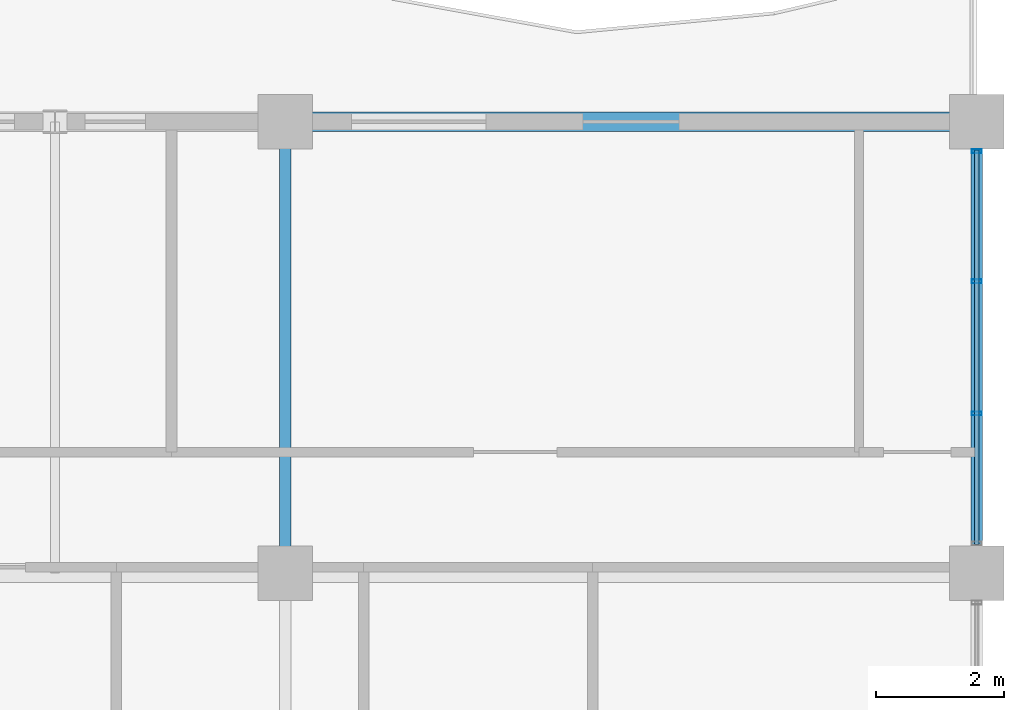
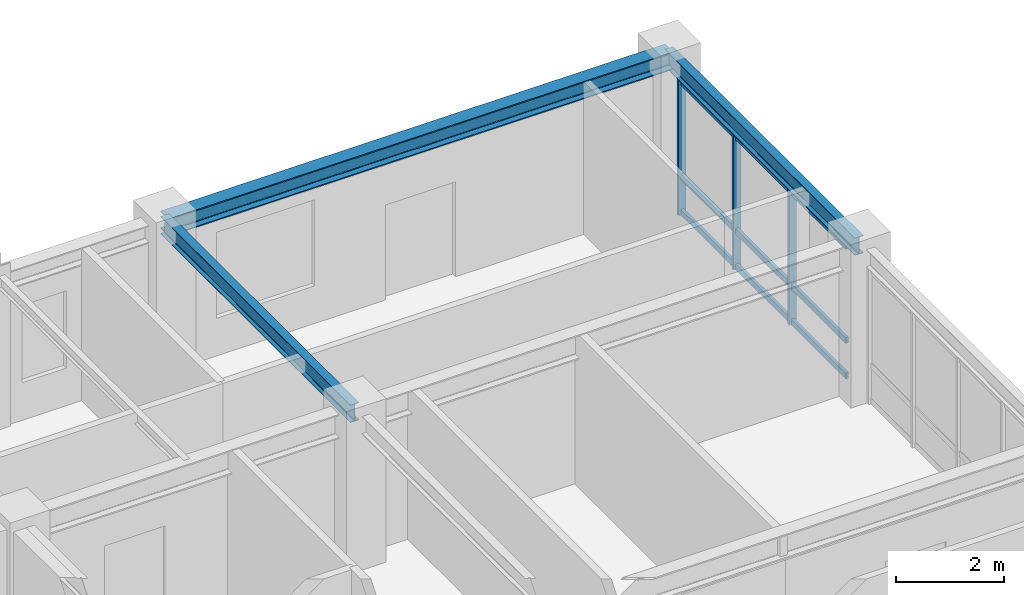
# One storey, part 4 of 11: 6 members, 3 beams, 1 element without a shape of its own.
"""IFC4 building model written with IfcOpenShell, lengths in metres."""

from ifc_helpers import new_model, si_unit, direction, frame, origin, origin_2d, place, context, subcontext, project, spatial, hollow_rectangle, i_section, extrude, source, transform, mapped, material, layer, layer_set, material_profile, profile_set, type_object, element, aggregate, save


model = new_model("IFC4")

# Units and contexts
model_context = context("Model", 3, precision=1e-05, world=origin(), true_north=direction((0.0, 1.0)))
body_context = subcontext(model_context, "Body", "Model", "MODEL_VIEW")
ifc_project = project(units=[si_unit("LENGTHUNIT", "METRE"), si_unit("AREAUNIT", "SQUARE_METRE"), si_unit("VOLUMEUNIT", "CUBIC_METRE"), si_unit("PLANEANGLEUNIT", "RADIAN"), si_unit("MASSUNIT", "GRAM", prefix="KILO")], contexts=[model_context])

# Site, building, storey
site_placement = place(None, origin())
site = spatial("IfcSite", under=ifc_project, at=site_placement, CompositionType="ELEMENT")
building_placement = place(site_placement, origin())
building = spatial("IfcBuilding", under=site, at=building_placement, Name="Kaliganga Portal Commons", CompositionType="ELEMENT")
storey_placement = place(building_placement, frame((0.0, 0.0, 264.699951171875)))
storey = spatial("IfcBuildingStorey", under=building, at=storey_placement, Name="L68", CompositionType="ELEMENT", Elevation=264.699951171875)

# Beams
ifc_material_1 = material(Name="Structural steel S355J2", Category="steel")
ifc_material_profile_1 = material_profile(ifc_material_1, i_section(OverallWidth=0.300048828125, OverallDepth=0.39990234375, WebThickness=0.013427734375, FlangeThickness=0.02392578125, FilletRadius=0.027099609375, at=origin_2d()), Name="HE 400 B")
ifc_profile_set_1 = profile_set([ifc_material_profile_1], Name="Structural steel S355J2 wide-flange")
beam_type_1 = type_object("IfcBeamType", Name="BM-SPAND-400", PredefinedType="SPANDREL", material=ifc_profile_set_1)
shared_shape_1 = source(origin(), body_context, "Body", "SweptSolid", [
    extrude(i_section(OverallWidth=0.300048828125, OverallDepth=0.39990234375, WebThickness=0.013427734375, FlangeThickness=0.02392578125, FilletRadius=0.027099609375, at=origin_2d()), origin(), (0.0, 0.0, 1.0), 10.800048828125),
])
beam_placement = place(storey_placement, frame((36.0, 43.199951171875, 3.275146484375), z_axis=(1.0, 0.0, 0.0), x_axis=(0.0, 1.0, 0.0)))
element("IfcBeam", 1, at=beam_placement, inside=storey, type_object=beam_type_1, Name="BM SP L68 AN 7", PredefinedType="SPANDREL", context=body_context, shape_type="MappedRepresentation", body=[
    mapped(shared_shape_1, transform((0.0, 0.0, 0.0), x_axis=(1.0, 0.0, 0.0), y_axis=(0.0, 1.0, 0.0), z_axis=(0.0, 0.0, 1.0), scale=1.0)),
])
ifc_material_profile_2 = material_profile(ifc_material_1, i_section(OverallWidth=0.179931640625, OverallDepth=0.39990234375, WebThickness=0.008544921875, FlangeThickness=0.013427734375, FilletRadius=0.02099609375, at=origin_2d()), Name="IPE 400")
ifc_profile_set_2 = profile_set([ifc_material_profile_2], Name="Structural steel S355J2 wide-flange")
beam_type_2 = type_object("IfcBeamType", Name="BM-FLR-400", PredefinedType="BEAM", material=ifc_profile_set_2)
shared_shape_2 = source(origin(), body_context, "Body", "SweptSolid", [
    extrude(i_section(OverallWidth=0.179931640625, OverallDepth=0.39990234375, WebThickness=0.008544921875, FlangeThickness=0.013427734375, FilletRadius=0.02099609375, at=origin_2d()), origin(), (0.0, 0.0, 1.0), 7.050048828125),
])
for number, where, z_axis, x_axis, name in (
    (2, (36.0, 36.14990234375, 3.275146484375), (0.0, 1.0, 0.0), (-1.0, 0.0, 0.0), "BM G L68 AN360"),
    (3, (46.800048828125, 36.14990234375, 3.275146484375), (0.0, 1.0, 0.0), (-1.0, 0.0, 0.0), "BM G L68 AN468"),
):
    element("IfcBeam", number, at=place(storey_placement, frame(where, z_axis=z_axis, x_axis=x_axis)), inside=storey, type_object=beam_type_2, Name=name, PredefinedType="BEAM", context=body_context, shape_type="MappedRepresentation", body=[
        mapped(shared_shape_2, transform((0.0, 0.0, 0.0), x_axis=(1.0, 0.0, 0.0), y_axis=(0.0, 1.0, 0.0), z_axis=(0.0, 0.0, 1.0), scale=1.0)),
    ])

# Curtain wall, members
ifc_material_2 = material(Name="Anodized Aluminium and Laminated Low-E Glass", Category="aluminium")
ifc_layer = layer(ifc_material_2, 0.18994140625)
ifc_layer_set = layer_set([ifc_layer], Name="Anodized Aluminium and Laminated Low-E Glass")
curtain_wall_type = type_object("IfcCurtainWallType", Name="CW-SYS-05", PredefinedType="NOTDEFINED", material=ifc_layer_set)
curtain_wall_placement = place(storey_placement, origin())
curtain_wall = element("IfcCurtainWall", 4, at=curtain_wall_placement, inside=storey, type_object=curtain_wall_type, Name="CW 05 L68 P1E01S3", PredefinedType="NOTDEFINED")
ifc_material_3 = material(Name="Dark Bronze Anodized Aluminium", Category="aluminium")
ifc_material_profile_3 = material_profile(ifc_material_3, hollow_rectangle(XDim=0.06005859375, YDim=0.159912109375, WallThickness=0.00341796875, at=origin_2d()), Name="ALU MULL 60x160x3.5")
ifc_profile_set_3 = profile_set([ifc_material_profile_3], Name="Dark Bronze Anodized Aluminium")
member_type_1 = type_object("IfcMemberType", Name="CW-MUL-160", PredefinedType="MULLION", material=ifc_profile_set_3)
shared_shape_3 = source(origin(), body_context, "Body", "SweptSolid", [
    extrude(hollow_rectangle(XDim=0.06005859375, YDim=0.159912109375, WallThickness=0.00341796875, at=origin_2d()), origin(), (0.0, 0.0, 1.0), 3.074951171875),
])
member_1_placement = place(storey_placement, frame((46.800048828125, 38.64208984375, 0.0), z_axis=(0.0, 0.0, 1.0), x_axis=(0.0, 1.0, 0.0)))
member_1 = element("IfcMember", 5, at=member_1_placement, type_object=member_type_1, Name="CW:05:L68:P1E01S3 Mullion 01", PredefinedType="MULLION", context=body_context, shape_type="MappedRepresentation", body=[
    mapped(shared_shape_3, transform((0.0, 0.0, 0.0), x_axis=(1.0, 0.0, 0.0), y_axis=(0.0, 1.0, 0.0), z_axis=(0.0, 0.0, 1.0), scale=1.0)),
])
member_2_placement = place(storey_placement, frame((46.800048828125, 40.7080078125, 0.0), z_axis=(0.0, 0.0, 1.0), x_axis=(0.0, 1.0, 0.0)))
member_2 = element("IfcMember", 6, at=member_2_placement, type_object=member_type_1, Name="CW:05:L68:P1E01S3 Mullion 02", PredefinedType="MULLION", context=body_context, shape_type="MappedRepresentation", body=[
    mapped(shared_shape_3, transform((0.0, 0.0, 0.0), x_axis=(1.0, 0.0, 0.0), y_axis=(0.0, 1.0, 0.0), z_axis=(0.0, 0.0, 1.0), scale=1.0)),
])
member_3_placement = place(storey_placement, frame((46.800048828125, 42.739013671875, 0.0), z_axis=(0.0, 0.0, 1.0), x_axis=(0.0, 1.0, 0.0)))
member_3 = element("IfcMember", 7, at=member_3_placement, type_object=member_type_1, Name="CW:05:L68:P1E01S3 Mullion 03", PredefinedType="MULLION", context=body_context, shape_type="MappedRepresentation", body=[
    mapped(shared_shape_3, transform((0.0, 0.0, 0.0), x_axis=(1.0, 0.0, 0.0), y_axis=(0.0, 1.0, 0.0), z_axis=(0.0, 0.0, 1.0), scale=1.0)),
])
ifc_material_profile_4 = material_profile(ifc_material_3, hollow_rectangle(XDim=0.06494140625, YDim=0.135009765625, WallThickness=0.00341796875, at=origin_2d()), Name="ALU TRAN 65x135x3.5")
ifc_profile_set_4 = profile_set([ifc_material_profile_4], Name="Dark Bronze Anodized Aluminium")
member_type_2 = type_object("IfcMemberType", Name="CW-TRN-135", PredefinedType="USERDEFINED", material=ifc_profile_set_4)
shared_shape_4 = source(origin(), body_context, "Body", "SweptSolid", [
    extrude(hollow_rectangle(XDim=0.06494140625, YDim=0.135009765625, WallThickness=0.00341796875, at=origin_2d()), origin(), (0.0, 0.0, 1.0), 6.157958984375),
])
member_4_placement = place(storey_placement, frame((46.800048828125, 36.595947265625, 0.06005859375), z_axis=(0.0, 1.0, 0.0), x_axis=(-1.0, 0.0, 0.0)))
member_4 = element("IfcMember", 8, at=member_4_placement, type_object=member_type_2, Name="CW:05:L68:P1E01S3 Transom 1", ObjectType="TRANSOM", PredefinedType="USERDEFINED", context=body_context, shape_type="MappedRepresentation", body=[
    mapped(shared_shape_4, transform((0.0, 0.0, 0.0), x_axis=(1.0, 0.0, 0.0), y_axis=(0.0, 1.0, 0.0), z_axis=(0.0, 0.0, 1.0), scale=1.0)),
])
member_5_placement = place(storey_placement, frame((46.800048828125, 36.595947265625, 0.861083984375), z_axis=(0.0, 1.0, 0.0), x_axis=(-1.0, 0.0, 0.0)))
member_5 = element("IfcMember", 9, at=member_5_placement, type_object=member_type_2, Name="CW:05:L68:P1E01S3 Transom 2", ObjectType="TRANSOM", PredefinedType="USERDEFINED", context=body_context, shape_type="MappedRepresentation", body=[
    mapped(shared_shape_4, transform((0.0, 0.0, 0.0), x_axis=(1.0, 0.0, 0.0), y_axis=(0.0, 1.0, 0.0), z_axis=(0.0, 0.0, 1.0), scale=1.0)),
])
member_6_placement = place(storey_placement, frame((46.800048828125, 36.595947265625, 2.9951171875), z_axis=(0.0, 1.0, 0.0), x_axis=(-1.0, 0.0, 0.0)))
member_6 = element("IfcMember", 10, at=member_6_placement, type_object=member_type_2, Name="CW:05:L68:P1E01S3 Transom 3", ObjectType="TRANSOM", PredefinedType="USERDEFINED", context=body_context, shape_type="MappedRepresentation", body=[
    mapped(shared_shape_4, transform((0.0, 0.0, 0.0), x_axis=(1.0, 0.0, 0.0), y_axis=(0.0, 1.0, 0.0), z_axis=(0.0, 0.0, 1.0), scale=1.0)),
])
aggregate(curtain_wall, [member_1, member_2, member_3, member_4, member_5, member_6])

save(model, "model.ifc")
